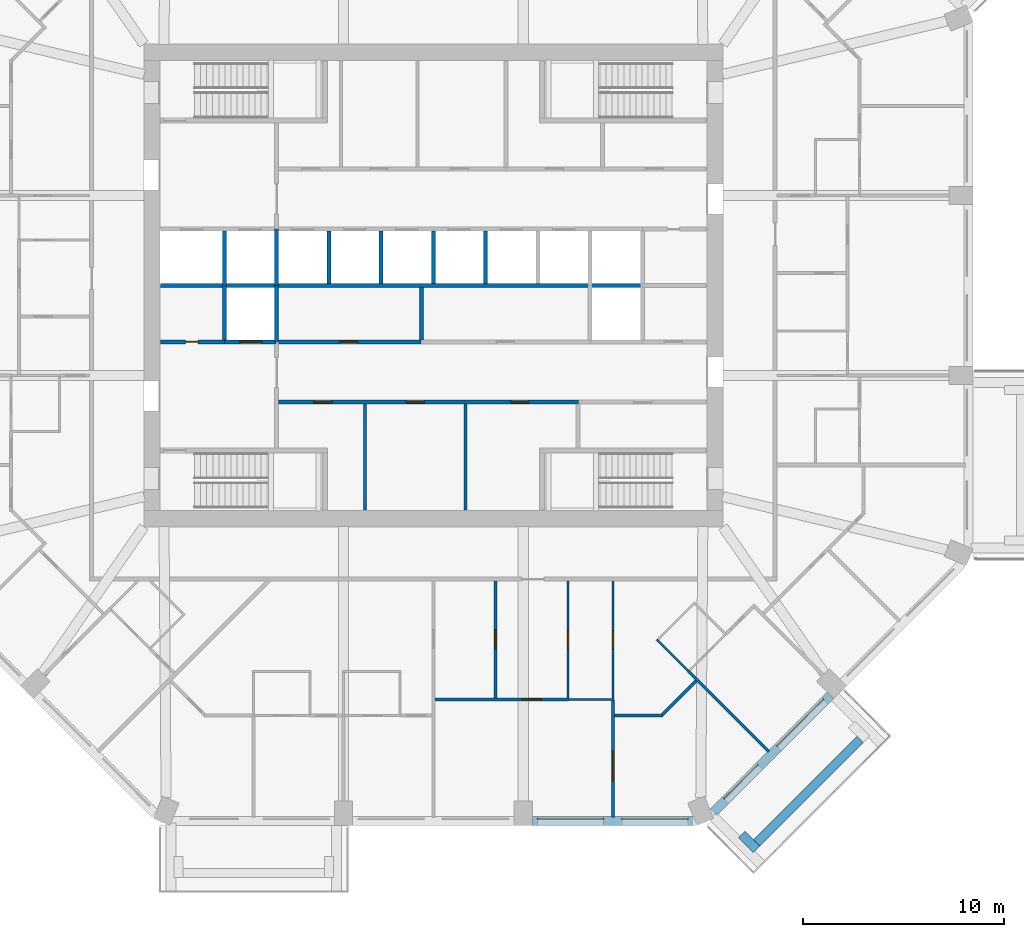
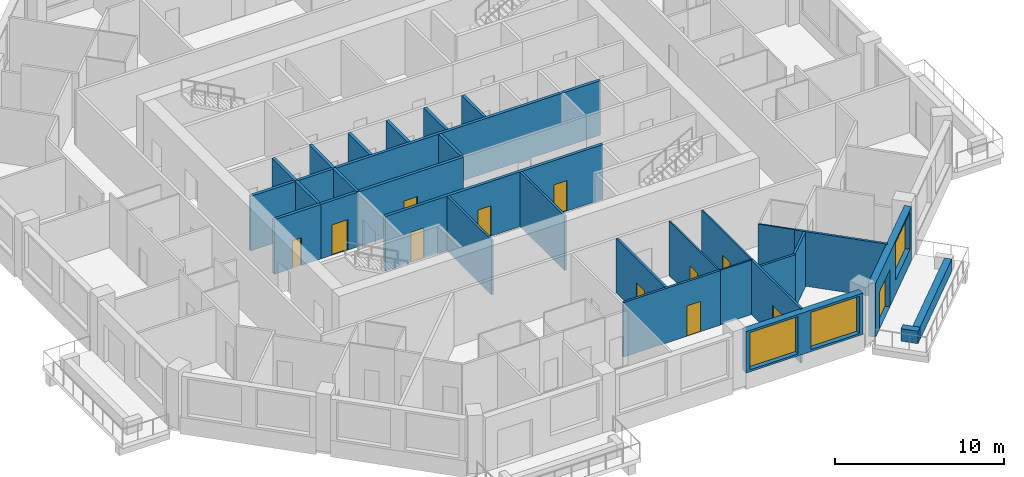
# One storey, part 5 of 12: 30 walls, 12 doors, 3 windows, 15 openings.
"""IFC4 building model written with IfcOpenShell, lengths in metres."""

from ifc_helpers import new_model, si_unit, direction, frame, frame_2d, origin, place, context, subcontext, project, spatial, rectangle, extrude, material, layer, layer_set, type_object, element, fill, save


model = new_model("IFC4")

# Units and contexts
model_context = context("Model", 3, precision=1e-05, world=origin(), true_north=direction((0.0, 1.0)))
body_context = subcontext(model_context, "Body", "Model", "MODEL_VIEW")
ifc_project = project(units=[si_unit("LENGTHUNIT", "METRE"), si_unit("AREAUNIT", "SQUARE_METRE"), si_unit("VOLUMEUNIT", "CUBIC_METRE"), si_unit("PLANEANGLEUNIT", "RADIAN"), si_unit("MASSUNIT", "GRAM", prefix="KILO")], contexts=[model_context])

# Site, building, storey
site_placement = place(None, origin())
site = spatial("IfcSite", under=ifc_project, at=site_placement, CompositionType="ELEMENT")
building_placement = place(site_placement, origin())
building = spatial("IfcBuilding", under=site, at=building_placement, Name="Msitu Wima Residences", CompositionType="ELEMENT")
storey_placement = place(building_placement, frame((0.0, 0.0, 119.10009765625)))
storey = spatial("IfcBuildingStorey", under=building, at=storey_placement, Name="L27", CompositionType="ELEMENT", Elevation=119.10009765625)

# Walls
ifc_material_1 = material(Name="Facing brick")
ifc_layer_1 = layer(ifc_material_1, 0.06494140625, Name="Facing brick")
ifc_material_2 = material(Name="Concrete C40/50", Category="concrete")
ifc_layer_2 = layer(ifc_material_2, 0.156005859375, Name="Concrete C40/50")
ifc_material_3 = material(Name="Waterproofing membrane")
ifc_layer_3 = layer(ifc_material_3, 0.00390625, Name="Waterproofing membrane")
ifc_material_4 = material(Name="Planting soil and planting")
ifc_layer_4 = layer(ifc_material_4, 0.22509765625, Name="Planting soil and planting")
ifc_layer_set_1 = layer_set([ifc_layer_1, ifc_layer_2, ifc_layer_3, ifc_layer_4], Name="Concrete C40/50")
wall_type_1 = type_object("IfcWallType", Name="Balcony planter PLANTER PL450", PredefinedType="USERDEFINED", material=ifc_layer_set_1)
wall_1_placement = place(storey_placement, frame((16.0751953125, -27.725830078125, 0.0), z_axis=(0.0, 0.0, 1.0), x_axis=(0.707106781187, 0.707106781187, 0.0)))
element("IfcWall", 1, at=wall_1_placement, inside=storey, type_object=wall_type_1, Name="Balcony planter SE0 L27", ObjectType="PLANTER", PredefinedType="USERDEFINED", context=body_context, shape_type="SweptSolid", body=[
    extrude(rectangle(XDim=7.288330078125, YDim=0.449951171875, at=frame_2d((3.64404296875, 0.0))), origin(), (0.0, 0.0, 1.0), 0.89990234375),
])
wall_2_placement = place(storey_placement, frame((15.332763671875, -27.301513671875, 0.0), z_axis=(0.0, 0.0, 1.0), x_axis=(0.707106781187, -0.707106781187, 0.0)))
element("IfcWall", 2, at=wall_2_placement, inside=storey, type_object=wall_type_1, Name="Balcony planter SE0 L27", ObjectType="PLANTER", PredefinedType="USERDEFINED", context=body_context, shape_type="SweptSolid", body=[
    extrude(rectangle(XDim=1.050048828125, YDim=0.449951171875, at=frame_2d((0.52490234375, 0.0))), origin(), (0.0, 0.0, 1.0), 0.89990234375),
])

# Wall, openings, windows
ifc_material_5 = material(Name="Brick (red buff mix)", Category="masonry")
ifc_layer_5 = layer(ifc_material_5, 0.449951171875)
ifc_layer_set_2 = layer_set([ifc_layer_5], Name="Brick (red buff mix)")
wall_type_2 = type_object("IfcWallType", Name="Brick infill wall BW450", PredefinedType="SOLIDWALL", material=ifc_layer_set_2)
wall_3_placement = place(storey_placement, frame((4.918701171875, -26.625, 0.89990234375), z_axis=(0.0, 0.0, 1.0), x_axis=(1.0, 0.0, 0.0)))
wall_3 = element("IfcWall", 3, at=wall_3_placement, inside=storey, type_object=wall_type_2, Name="Brick infill wall L27 S2", PredefinedType="SOLIDWALL", context=body_context, shape_type="SweptSolid", body=[
    extrude(rectangle(XDim=8.0, YDim=0.449951171875, at=frame_2d((4.0, 0.0))), origin(), (0.0, 0.0, 1.0), 3.0),
])
opening_1_placement = place(wall_3_placement, frame((0.25, 0.0, 0.14990234375)))
opening_1 = element("IfcOpeningElement", 4, at=opening_1_placement, cuts=wall_3, Name="Opening W27-29.020", PredefinedType="OPENING", context=body_context, shape_type="SweptSolid", body=[
    extrude(rectangle(XDim=3.300048828125, YDim=2.699951171875, at=frame_2d((1.64990234375, 1.35009765625))), frame((0.0, 0.23486328125, 0.0), z_axis=(0.0, -1.0, 0.0), x_axis=(1.0, 0.0, 0.0)), (0.0, 0.0, 1.0), 0.469970703125),
])
opening_2_placement = place(wall_3_placement, frame((4.4501953125, 0.0, 0.14990234375)))
opening_2 = element("IfcOpeningElement", 5, at=opening_2_placement, cuts=wall_3, Name="Opening W27-29.021", PredefinedType="OPENING", context=body_context, shape_type="SweptSolid", body=[
    extrude(rectangle(XDim=3.300048828125, YDim=2.699951171875, at=frame_2d((1.64990234375, 1.35009765625))), frame((0.0, 0.23486328125, 0.0), z_axis=(0.0, -1.0, 0.0), x_axis=(1.0, 0.0, 0.0)), (0.0, 0.0, 1.0), 0.469970703125),
])
ifc_material_6 = material(Name="Anodised aluminium, bronze finish, clear low-emissivity double glazing", Category="aluminium")
window_type = type_object("IfcWindowType", Name="Window W3300x2700", PartitioningType="DOUBLE_PANEL_VERTICAL", PredefinedType="WINDOW", material=ifc_material_6)
window_1_placement = place(opening_1_placement, origin())
window_1 = element("IfcWindow", 6, at=window_1_placement, inside=storey, type_object=window_type, Name="Window L27 S2.1", OverallHeight=2.699951171875, OverallWidth=3.300048828125, PartitioningType="SINGLE_PANEL", PredefinedType="WINDOW", context=body_context, shape_type="SweptSolid", body=[
    extrude(rectangle(XDim=3.300048828125, YDim=2.699951171875, at=frame_2d((1.64990234375, 1.35009765625))), frame((0.0, 0.135009765625, 0.0), z_axis=(0.0, -1.0, 0.0), x_axis=(1.0, 0.0, 0.0)), (0.0, 0.0, 1.0), 0.06005859375),
])
fill(opening_1, window_1)
window_2_placement = place(opening_2_placement, origin())
window_2 = element("IfcWindow", 7, at=window_2_placement, inside=storey, type_object=window_type, Name="Window L27 S2.2", OverallHeight=2.699951171875, OverallWidth=3.300048828125, PartitioningType="SINGLE_PANEL", PredefinedType="WINDOW", context=body_context, shape_type="SweptSolid", body=[
    extrude(rectangle(XDim=3.300048828125, YDim=2.699951171875, at=frame_2d((1.64990234375, 1.35009765625))), frame((0.0, 0.135009765625, 0.0), z_axis=(0.0, -1.0, 0.0), x_axis=(1.0, 0.0, 0.0)), (0.0, 0.0, 1.0), 0.06005859375),
])
fill(opening_2, window_2)

# Wall, openings, door, window
wall_4_placement = place(storey_placement, frame((13.909423828125, -26.214599609375, 0.0), z_axis=(0.0, 0.0, 1.0), x_axis=(0.707106781187, 0.707106781187, 0.0)))
wall_4 = element("IfcWall", 8, at=wall_4_placement, inside=storey, type_object=wall_type_2, Name="Brick infill wall L27 SE0", PredefinedType="SOLIDWALL", context=body_context, shape_type="SweptSolid", body=[
    extrude(rectangle(XDim=8.251220703125, YDim=0.449951171875, at=frame_2d((4.12548828125, 0.0))), origin(), (0.0, 0.0, 1.0), 3.89990234375),
])
opening_3_placement = place(wall_4_placement, frame((0.86279296875, 0.0, 0.0)))
opening_3 = element("IfcOpeningElement", 9, at=opening_3_placement, cuts=wall_4, Name="Opening D27-29.006", PredefinedType="OPENING", context=body_context, shape_type="SweptSolid", body=[
    extrude(rectangle(XDim=2.39990234375, YDim=2.699951171875, at=frame_2d((1.199951171875, 1.35009765625))), frame((0.0, 0.23486328125, 0.0), z_axis=(0.0, -1.0, 0.0), x_axis=(1.0, 0.0, 0.0)), (0.0, 0.0, 1.0), 0.469970703125),
])
opening_4_placement = place(wall_4_placement, frame((4.57568359375, 0.0, 1.050048828125)))
opening_4 = element("IfcOpeningElement", 10, at=opening_4_placement, cuts=wall_4, Name="Opening W27-29.022", PredefinedType="OPENING", context=body_context, shape_type="SweptSolid", body=[
    extrude(rectangle(XDim=3.300048828125, YDim=2.699951171875, at=frame_2d((1.64990234375, 1.35009765625))), frame((0.0, 0.23486328125, 0.0), z_axis=(0.0, -1.0, 0.0), x_axis=(1.0, 0.0, 0.0)), (0.0, 0.0, 1.0), 0.469970703125),
])
door_type_1 = type_object("IfcDoorType", Name="Balcony door D2400x2700", OperationType="SLIDING_TO_LEFT", PredefinedType="DOOR", material=ifc_material_6)
door_1_placement = place(opening_3_placement, origin())
door_1 = element("IfcDoor", 11, at=door_1_placement, inside=storey, type_object=door_type_1, Name="Balcony door L27 SE0", OperationType="SINGLE_SWING_LEFT", OverallHeight=2.699951171875, OverallWidth=2.39990234375, PredefinedType="DOOR", context=body_context, shape_type="SweptSolid", body=[
    extrude(rectangle(XDim=2.39990234375, YDim=2.699951171875, at=frame_2d((1.199951171875, 1.35009765625))), frame((0.0, 0.1298828125, 0.0), z_axis=(0.0, -1.0, 0.0), x_axis=(1.0, 0.0, 0.0)), (0.0, 0.0, 1.0), 0.050048828125),
])
fill(opening_3, door_1)
window_3_placement = place(opening_4_placement, origin())
window_3 = element("IfcWindow", 12, at=window_3_placement, inside=storey, type_object=window_type, Name="Window L27 SE0.2", OverallHeight=2.699951171875, OverallWidth=3.300048828125, PartitioningType="SINGLE_PANEL", PredefinedType="WINDOW", context=body_context, shape_type="SweptSolid", body=[
    extrude(rectangle(XDim=3.300048828125, YDim=2.699951171875, at=frame_2d((1.64990234375, 1.35009765625))), frame((0.0, 0.135009765625, 0.0), z_axis=(0.0, -1.0, 0.0), x_axis=(1.0, 0.0, 0.0)), (0.0, 0.0, 1.0), 0.06005859375),
])
fill(opening_4, window_3)

# Wall, opening, door
ifc_material_7 = material(Name="Plaster")
ifc_layer_6 = layer(ifc_material_7, 0.011962890625, Name="Plaster")
ifc_material_8 = material(Name="Concrete blockwork", Category="masonry")
ifc_layer_7 = layer(ifc_material_8, 0.176025390625, Name="Concrete blockwork")
ifc_layer_8 = layer(ifc_material_7, 0.011962890625, Name="Plaster")
ifc_layer_set_3 = layer_set([ifc_layer_6, ifc_layer_7, ifc_layer_8], Name="Concrete blockwork")
wall_type_3 = type_object("IfcWallType", Name="Corridor wall FW200", PredefinedType="PARTITIONING", material=ifc_layer_set_3)
wall_5_placement = place(storey_placement, frame((-7.820068359375, -2.800048828125, 0.0), z_axis=(0.0, 0.0, 1.0), x_axis=(1.0, 0.0, 0.0)))
wall_5 = element("IfcWall", 13, at=wall_5_placement, inside=storey, type_object=wall_type_3, Name="Corridor wall", PredefinedType="PARTITIONING", context=body_context, shape_type="SweptSolid", body=[
    extrude(rectangle(XDim=7.199951171875, YDim=0.199951171875, at=frame_2d((3.60009765625, 0.0))), origin(), (0.0, 0.0, 1.0), 3.949951171875),
])
opening_5_placement = place(wall_5_placement, frame((3.14990234375, 0.0, 0.0)))
opening_5 = element("IfcOpeningElement", 14, at=opening_5_placement, cuts=wall_5, Name="Opening D27-29.029", PredefinedType="OPENING", context=body_context, shape_type="SweptSolid", body=[
    extrude(rectangle(XDim=0.89990234375, YDim=2.199951171875, at=frame_2d((0.449951171875, 1.10009765625))), frame((0.0, 0.10986328125, 0.0), z_axis=(0.0, -1.0, 0.0), x_axis=(1.0, 0.0, 0.0)), (0.0, 0.0, 1.0), 0.219970703125),
])
ifc_material_9 = material(Name="Timber flush door", Category="wood")
door_type_2 = type_object("IfcDoorType", Name="Service door D05 900x2200", OperationType="SINGLE_SWING_LEFT", PredefinedType="DOOR", material=ifc_material_9)
door_2_placement = place(opening_5_placement, origin())
door_2 = element("IfcDoor", 15, at=door_2_placement, inside=storey, type_object=door_type_2, Name="Service door", OperationType="SINGLE_SWING_LEFT", OverallHeight=2.199951171875, OverallWidth=0.89990234375, PredefinedType="DOOR", context=body_context, shape_type="SweptSolid", body=[
    extrude(rectangle(XDim=0.89990234375, YDim=2.199951171875, at=frame_2d((0.449951171875, 1.10009765625))), frame((0.0, 0.02490234375, 0.0), z_axis=(0.0, -1.0, 0.0), x_axis=(1.0, 0.0, 0.0)), (0.0, 0.0, 1.0), 0.050048828125),
])
fill(opening_5, door_2)

# Wall, openings, doors
wall_6_placement = place(storey_placement, frame((-7.699951171875, -5.800048828125, 0.0), z_axis=(0.0, 0.0, 1.0), x_axis=(1.0, 0.0, 0.0)))
wall_6 = element("IfcWall", 16, at=wall_6_placement, inside=storey, type_object=wall_type_3, Name="Corridor wall", PredefinedType="PARTITIONING", context=body_context, shape_type="SweptSolid", body=[
    extrude(rectangle(XDim=14.919921875, YDim=0.199951171875, at=frame_2d((7.4599609375, 0.0))), origin(), (0.0, 0.0, 1.0), 3.949951171875),
])
opening_6_placement = place(wall_6_placement, frame((1.75, 0.0, 0.0)))
opening_6 = element("IfcOpeningElement", 17, at=opening_6_placement, cuts=wall_6, Name="Opening D27-29.021", PredefinedType="OPENING", context=body_context, shape_type="SweptSolid", body=[
    extrude(rectangle(XDim=0.89990234375, YDim=2.199951171875, at=frame_2d((0.449951171875, 1.10009765625))), frame((0.0, 0.10986328125, 0.0), z_axis=(0.0, -1.0, 0.0), x_axis=(1.0, 0.0, 0.0)), (0.0, 0.0, 1.0), 0.219970703125),
])
opening_7_placement = place(wall_6_placement, frame((6.35009765625, 0.0, 0.0)))
opening_7 = element("IfcOpeningElement", 18, at=opening_7_placement, cuts=wall_6, Name="Opening D27-29.022", PredefinedType="OPENING", context=body_context, shape_type="SweptSolid", body=[
    extrude(rectangle(XDim=0.89990234375, YDim=2.199951171875, at=frame_2d((0.449951171875, 1.10009765625))), frame((0.0, 0.10986328125, 0.0), z_axis=(0.0, -1.0, 0.0), x_axis=(1.0, 0.0, 0.0)), (0.0, 0.0, 1.0), 0.219970703125),
])
opening_8_placement = place(wall_6_placement, frame((11.550048828125, 0.0, 0.0)))
opening_8 = element("IfcOpeningElement", 19, at=opening_8_placement, cuts=wall_6, Name="Opening D27-29.023", PredefinedType="OPENING", context=body_context, shape_type="SweptSolid", body=[
    extrude(rectangle(XDim=0.89990234375, YDim=2.199951171875, at=frame_2d((0.449951171875, 1.10009765625))), frame((0.0, 0.10986328125, 0.0), z_axis=(0.0, -1.0, 0.0), x_axis=(1.0, 0.0, 0.0)), (0.0, 0.0, 1.0), 0.219970703125),
])
door_3_placement = place(opening_6_placement, origin())
door_3 = element("IfcDoor", 20, at=door_3_placement, inside=storey, type_object=door_type_2, Name="Service door", OperationType="SINGLE_SWING_LEFT", OverallHeight=2.199951171875, OverallWidth=0.89990234375, PredefinedType="DOOR", context=body_context, shape_type="SweptSolid", body=[
    extrude(rectangle(XDim=0.89990234375, YDim=2.199951171875, at=frame_2d((0.449951171875, 1.10009765625))), frame((0.0, 0.02490234375, 0.0), z_axis=(0.0, -1.0, 0.0), x_axis=(1.0, 0.0, 0.0)), (0.0, 0.0, 1.0), 0.050048828125),
])
fill(opening_6, door_3)
door_4_placement = place(opening_7_placement, origin())
door_4 = element("IfcDoor", 21, at=door_4_placement, inside=storey, type_object=door_type_2, Name="Service door", OperationType="SINGLE_SWING_RIGHT", OverallHeight=2.199951171875, OverallWidth=0.89990234375, PredefinedType="DOOR", context=body_context, shape_type="SweptSolid", body=[
    extrude(rectangle(XDim=0.89990234375, YDim=2.199951171875, at=frame_2d((0.449951171875, 1.10009765625))), frame((0.0, 0.02490234375, 0.0), z_axis=(0.0, -1.0, 0.0), x_axis=(1.0, 0.0, 0.0)), (0.0, 0.0, 1.0), 0.050048828125),
])
fill(opening_7, door_4)
door_5_placement = place(opening_8_placement, origin())
door_5 = element("IfcDoor", 22, at=door_5_placement, inside=storey, type_object=door_type_2, Name="Service door", OperationType="SINGLE_SWING_RIGHT", OverallHeight=2.199951171875, OverallWidth=0.89990234375, PredefinedType="DOOR", context=body_context, shape_type="SweptSolid", body=[
    extrude(rectangle(XDim=0.89990234375, YDim=2.199951171875, at=frame_2d((0.449951171875, 1.10009765625))), frame((0.0, 0.02490234375, 0.0), z_axis=(0.0, -1.0, 0.0), x_axis=(1.0, 0.0, 0.0)), (0.0, 0.0, 1.0), 0.050048828125),
])
fill(opening_8, door_5)

# Wall
ifc_layer_9 = layer(ifc_material_7, 0.011962890625, Name="Plaster")
ifc_layer_10 = layer(ifc_material_8, 0.1259765625, Name="Concrete blockwork")
ifc_layer_11 = layer(ifc_material_7, 0.011962890625, Name="Plaster")
ifc_layer_set_4 = layer_set([ifc_layer_9, ifc_layer_10, ifc_layer_11], Name="Concrete blockwork")
wall_type_4 = type_object("IfcWallType", Name="Partition PW150", PredefinedType="PARTITIONING", material=ifc_layer_set_4)
wall_7_placement = place(storey_placement, frame((-3.39990234375, -11.169921875, 0.0), z_axis=(0.0, 0.0, 1.0), x_axis=(0.0, 1.0, 0.0)))
element("IfcWall", 23, at=wall_7_placement, inside=storey, type_object=wall_type_4, Name="Partition", PredefinedType="PARTITIONING", context=body_context, shape_type="SweptSolid", body=[
    extrude(rectangle(XDim=5.27001953125, YDim=0.14990234375, at=frame_2d((2.635009765625, 0.0))), origin(), (0.0, 0.0, 1.0), 3.949951171875),
])

# Wall, opening, door
wall_8_placement = place(storey_placement, frame((0.074951171875, -20.60009765625, 0.0), z_axis=(0.0, 0.0, 1.0), x_axis=(1.0, 0.0, 0.0)))
wall_8 = element("IfcWall", 24, at=wall_8_placement, inside=storey, type_object=wall_type_4, Name="Partition", PredefinedType="PARTITIONING", context=body_context, shape_type="SweptSolid", body=[
    extrude(rectangle(XDim=6.64501953125, YDim=0.14990234375, at=frame_2d((3.322509765625, 0.0))), origin(), (0.0, 0.0, 1.0), 3.949951171875),
])
opening_9_placement = place(wall_8_placement, frame((4.35009765625, 0.0, 0.0)))
opening_9 = element("IfcOpeningElement", 25, at=opening_9_placement, cuts=wall_8, Name="Opening D27-29.069", PredefinedType="OPENING", context=body_context, shape_type="SweptSolid", body=[
    extrude(rectangle(XDim=0.949951171875, YDim=2.199951171875, at=frame_2d((0.47509765625, 1.10009765625))), frame((0.0, 0.0849609375, 0.0), z_axis=(0.0, -1.0, 0.0), x_axis=(1.0, 0.0, 0.0)), (0.0, 0.0, 1.0), 0.169921875),
])
door_type_3 = type_object("IfcDoorType", Name="Room door D12 950x2200", OperationType="SINGLE_SWING_LEFT", PredefinedType="DOOR", material=ifc_material_9)
door_6_placement = place(opening_9_placement, origin())
door_6 = element("IfcDoor", 26, at=door_6_placement, inside=storey, type_object=door_type_3, Name="Room door", OperationType="SINGLE_SWING_LEFT", OverallHeight=2.199951171875, OverallWidth=0.949951171875, PredefinedType="DOOR", context=body_context, shape_type="SweptSolid", body=[
    extrude(rectangle(XDim=0.949951171875, YDim=2.199951171875, at=frame_2d((0.47509765625, 1.10009765625))), frame((0.0, 0.02490234375, 0.0), z_axis=(0.0, -1.0, 0.0), x_axis=(1.0, 0.0, 0.0)), (0.0, 0.0, 1.0), 0.050048828125),
])
fill(opening_9, door_6)

# Wall
wall_9_placement = place(storey_placement, frame((1.60009765625, -11.169921875, 0.0), z_axis=(0.0, 0.0, 1.0), x_axis=(0.0, 1.0, 0.0)))
element("IfcWall", 27, at=wall_9_placement, inside=storey, type_object=wall_type_4, Name="Partition", PredefinedType="PARTITIONING", context=body_context, shape_type="SweptSolid", body=[
    extrude(rectangle(XDim=5.27001953125, YDim=0.14990234375, at=frame_2d((2.635009765625, 0.0))), origin(), (0.0, 0.0, 1.0), 3.949951171875),
])

# Wall, opening, door
wall_10_placement = place(storey_placement, frame((3.10009765625, -20.52490234375, 0.0), z_axis=(0.0, 0.0, 1.0), x_axis=(0.0, 1.0, 0.0)))
wall_10 = element("IfcWall", 28, at=wall_10_placement, inside=storey, type_object=wall_type_4, Name="Partition", PredefinedType="PARTITIONING", context=body_context, shape_type="SweptSolid", body=[
    extrude(rectangle(XDim=5.824951171875, YDim=0.14990234375, at=frame_2d((2.91259765625, 0.0))), origin(), (0.0, 0.0, 1.0), 3.949951171875),
])
opening_10_placement = place(wall_10_placement, frame((2.449951171875, 0.0, 0.0)))
opening_10 = element("IfcOpeningElement", 29, at=opening_10_placement, cuts=wall_10, Name="Opening D27-29.072", PredefinedType="OPENING", context=body_context, shape_type="SweptSolid", body=[
    extrude(rectangle(XDim=0.949951171875, YDim=2.199951171875, at=frame_2d((0.47509765625, 1.10009765625))), frame((0.0, 0.0849609375, 0.0), z_axis=(0.0, -1.0, 0.0), x_axis=(1.0, 0.0, 0.0)), (0.0, 0.0, 1.0), 0.169921875),
])
door_7_placement = place(opening_10_placement, origin())
door_7 = element("IfcDoor", 30, at=door_7_placement, inside=storey, type_object=door_type_3, Name="Room door", OperationType="SINGLE_SWING_RIGHT", OverallHeight=2.199951171875, OverallWidth=0.949951171875, PredefinedType="DOOR", context=body_context, shape_type="SweptSolid", body=[
    extrude(rectangle(XDim=0.949951171875, YDim=2.199951171875, at=frame_2d((0.47509765625, 1.10009765625))), frame((0.0, 0.02490234375, 0.0), z_axis=(0.0, -1.0, 0.0), x_axis=(1.0, 0.0, 0.0)), (0.0, 0.0, 1.0), 0.050048828125),
])
fill(opening_10, door_7)

wall_11_placement = place(storey_placement, frame((8.937255859375, -26.455078125, 0.0), z_axis=(0.0, 0.0, 1.0), x_axis=(0.0, 1.0, 0.0)))
wall_11 = element("IfcWall", 31, at=wall_11_placement, inside=storey, type_object=wall_type_4, Name="Partition", PredefinedType="PARTITIONING", context=body_context, shape_type="SweptSolid", body=[
    extrude(rectangle(XDim=5.8349609375, YDim=0.14990234375, at=frame_2d((2.91748046875, 0.0))), origin(), (0.0, 0.0, 1.0), 3.949951171875),
])
opening_11_placement = place(wall_11_placement, frame((1.800048828125, 0.0, 0.0)))
opening_11 = element("IfcOpeningElement", 32, at=opening_11_placement, cuts=wall_11, Name="Opening D27-29.071", PredefinedType="OPENING", context=body_context, shape_type="SweptSolid", body=[
    extrude(rectangle(XDim=1.5, YDim=2.199951171875, at=frame_2d((0.75, 1.10009765625))), frame((0.0, 0.0849609375, 0.0), z_axis=(0.0, -1.0, 0.0), x_axis=(1.0, 0.0, 0.0)), (0.0, 0.0, 1.0), 0.169921875),
])
ifc_material_10 = material(Name="Timber double door", Category="wood")
door_type_4 = type_object("IfcDoorType", Name="Double door D04 1500x2200", OperationType="DOUBLE_DOOR_SINGLE_SWING", PredefinedType="DOOR", material=ifc_material_10)
door_8_placement = place(opening_11_placement, origin())
door_8 = element("IfcDoor", 33, at=door_8_placement, inside=storey, type_object=door_type_4, Name="Double door", OperationType="DOUBLE_DOOR_SINGLE_SWING", OverallHeight=2.199951171875, OverallWidth=1.5, PredefinedType="DOOR", context=body_context, shape_type="SweptSolid", body=[
    extrude(rectangle(XDim=1.5, YDim=2.199951171875, at=frame_2d((0.75, 1.10009765625))), frame((0.0, 0.02490234375, 0.0), z_axis=(0.0, -1.0, 0.0), x_axis=(1.0, 0.0, 0.0)), (0.0, 0.0, 1.0), 0.050048828125),
])
fill(opening_11, door_8)

# Walls
wall_12_placement = place(storey_placement, frame((9.01220703125, -21.39990234375, 0.0), z_axis=(0.0, 0.0, 1.0), x_axis=(1.0, 0.0, 0.0)))
element("IfcWall", 34, at=wall_12_placement, inside=storey, type_object=wall_type_4, Name="Partition", PredefinedType="PARTITIONING", context=body_context, shape_type="SweptSolid", body=[
    extrude(rectangle(XDim=2.397705078125, YDim=0.14990234375, at=frame_2d((1.19873046875, 0.0))), origin(), (0.0, 0.0, 1.0), 3.949951171875),
])
wall_13_placement = place(storey_placement, frame((11.387939453125, -21.346923828125, 0.0), z_axis=(0.0, 0.0, 1.0), x_axis=(0.707106781187, 0.707106781187, 0.0)))
element("IfcWall", 35, at=wall_13_placement, inside=storey, type_object=wall_type_4, Name="Partition", PredefinedType="PARTITIONING", context=body_context, shape_type="SweptSolid", body=[
    extrude(rectangle(XDim=2.373046875, YDim=0.14990234375, at=frame_2d((1.1865234375, 0.0))), origin(), (0.0, 0.0, 1.0), 3.949951171875),
])
wall_14_placement = place(storey_placement, frame((12.680419921875, -19.177490234375, 0.0), z_axis=(0.0, 0.0, 1.0), x_axis=(0.707106781187, -0.707106781187, 0.0)))
element("IfcWall", 36, at=wall_14_placement, inside=storey, type_object=wall_type_4, Name="Partition", PredefinedType="PARTITIONING", context=body_context, shape_type="SweptSolid", body=[
    extrude(rectangle(XDim=5.675048828125, YDim=0.14990234375, at=frame_2d((2.83740234375, 0.0))), origin(), (0.0, 0.0, 1.0), 3.949951171875),
])

# Wall, opening, door
ifc_layer_12 = layer(ifc_material_7, 0.011962890625, Name="Plaster")
ifc_material_11 = material(Name="Reinforced concrete blockwork", Category="masonry")
ifc_layer_13 = layer(ifc_material_11, 0.176025390625, Name="Reinforced concrete blockwork")
ifc_layer_14 = layer(ifc_material_7, 0.011962890625, Name="Plaster")
ifc_layer_set_5 = layer_set([ifc_layer_12, ifc_layer_13, ifc_layer_14], Name="Reinforced concrete blockwork")
wall_type_5 = type_object("IfcWallType", Name="Plant and riser wall PL200", PredefinedType="PARTITIONING", material=ifc_layer_set_5)
wall_15_placement = place(storey_placement, frame((-13.570068359375, -2.800048828125, 0.0), z_axis=(0.0, 0.0, 1.0), x_axis=(1.0, 0.0, 0.0)))
wall_15 = element("IfcWall", 37, at=wall_15_placement, inside=storey, type_object=wall_type_5, Name="Plant and riser wall", PredefinedType="PARTITIONING", context=body_context, shape_type="SweptSolid", body=[
    extrude(rectangle(XDim=3.190185546875, YDim=0.199951171875, at=frame_2d((1.59521484375, 0.0))), origin(), (0.0, 0.0, 1.0), 3.949951171875),
])
opening_12_placement = place(wall_15_placement, frame((1.25, 0.0, 0.0)))
opening_12 = element("IfcOpeningElement", 38, at=opening_12_placement, cuts=wall_15, Name="Opening D27-29.028", PredefinedType="OPENING", context=body_context, shape_type="SweptSolid", body=[
    extrude(rectangle(XDim=0.60009765625, YDim=2.0, at=frame_2d((0.300048828125, 1.0))), frame((0.0, 0.10986328125, 0.0), z_axis=(0.0, -1.0, 0.0), x_axis=(1.0, 0.0, 0.0)), (0.0, 0.0, 1.0), 0.219970703125),
])
ifc_material_12 = material(Name="Steel access door, fire resisting", Category="steel")
door_type_5 = type_object("IfcDoorType", Name="Riser access door D08 600x2000", OperationType="SINGLE_SWING_LEFT", PredefinedType="DOOR", material=ifc_material_12)
door_9_placement = place(opening_12_placement, origin())
door_9 = element("IfcDoor", 39, at=door_9_placement, inside=storey, type_object=door_type_5, Name="Riser access door", OperationType="SINGLE_SWING_RIGHT", OverallHeight=2.0, OverallWidth=0.60009765625, PredefinedType="DOOR", context=body_context, shape_type="SweptSolid", body=[
    extrude(rectangle(XDim=0.60009765625, YDim=2.0, at=frame_2d((0.300048828125, 1.0))), frame((0.0, 0.02490234375, 0.0), z_axis=(0.0, -1.0, 0.0), x_axis=(1.0, 0.0, 0.0)), (0.0, 0.0, 1.0), 0.050048828125),
])
fill(opening_12, door_9)

# Walls
wall_16_placement = place(storey_placement, frame((-0.60009765625, -2.699951171875, 0.0), z_axis=(0.0, 0.0, 1.0), x_axis=(0.0, 1.0, 0.0)))
element("IfcWall", 40, at=wall_16_placement, inside=storey, type_object=wall_type_5, Name="Plant and riser wall", PredefinedType="PARTITIONING", context=body_context, shape_type="SweptSolid", body=[
    extrude(rectangle(XDim=2.599853515625, YDim=0.199951171875, at=frame_2d((1.2998046875, 0.0))), origin(), (0.0, 0.0, 1.0), 3.949951171875),
])
ifc_material_13 = material(Name="Fire-rated board")
ifc_layer_15 = layer(ifc_material_13, 0.02490234375, Name="Fire-rated board")
ifc_material_14 = material(Name="Light-gauge stud framing with mineral wool")
ifc_layer_16 = layer(ifc_material_14, 0.14990234375, Name="Light-gauge stud framing with mineral wool")
ifc_layer_17 = layer(ifc_material_13, 0.02490234375, Name="Fire-rated board")
ifc_layer_set_6 = layer_set([ifc_layer_15, ifc_layer_16, ifc_layer_17], Name="Light-gauge stud framing with mineral wool")
wall_type_6 = type_object("IfcWallType", Name="Shaft wall SH200", PredefinedType="PARTITIONING", material=ifc_layer_set_6)
wall_17_placement = place(storey_placement, frame((-13.570068359375, 0.0, 0.0), z_axis=(0.0, 0.0, 1.0), x_axis=(1.0, 0.0, 0.0)))
element("IfcWall", 41, at=wall_17_placement, inside=storey, type_object=wall_type_6, Name="Shaft wall", PredefinedType="PARTITIONING", context=body_context, shape_type="SweptSolid", body=[
    extrude(rectangle(XDim=23.969970703125, YDim=0.199951171875, at=frame_2d((11.98486328125, 0.0))), origin(), (0.0, 0.0, 1.0), 3.949951171875),
])
wall_18_placement = place(storey_placement, frame((-10.39990234375, -2.699951171875, 0.0), z_axis=(0.0, 0.0, 1.0), x_axis=(0.0, 1.0, 0.0)))
element("IfcWall", 42, at=wall_18_placement, inside=storey, type_object=wall_type_6, Name="Shaft wall", PredefinedType="PARTITIONING", context=body_context, shape_type="SweptSolid", body=[
    extrude(rectangle(XDim=2.699951171875, YDim=0.199951171875, at=frame_2d((1.35009765625, 0.0))), origin(), (0.0, 0.0, 1.0), 3.949951171875),
])

# Wall, opening, door
wall_19_placement = place(storey_placement, frame((-10.3798828125, -2.800048828125, 0.0), z_axis=(0.0, 0.0, 1.0), x_axis=(1.0, 0.0, 0.0)))
wall_19 = element("IfcWall", 43, at=wall_19_placement, inside=storey, type_object=wall_type_6, Name="Shaft wall", PredefinedType="PARTITIONING", context=body_context, shape_type="SweptSolid", body=[
    extrude(rectangle(XDim=2.559814453125, YDim=0.199951171875, at=frame_2d((1.27978515625, 0.0))), origin(), (0.0, 0.0, 1.0), 3.949951171875),
])
opening_13_placement = place(wall_19_placement, frame((0.75, 0.0, 0.0)))
opening_13 = element("IfcOpeningElement", 44, at=opening_13_placement, cuts=wall_19, Name="Opening LD", PredefinedType="OPENING", context=body_context, shape_type="SweptSolid", body=[
    extrude(rectangle(XDim=1.10009765625, YDim=2.199951171875, at=frame_2d((0.550048828125, 1.10009765625))), frame((0.0, 0.10986328125, 0.0), z_axis=(0.0, -1.0, 0.0), x_axis=(1.0, 0.0, 0.0)), (0.0, 0.0, 1.0), 0.219970703125),
])
ifc_material_15 = material(Name="Stainless steel centre-opening landing door, rated", Category="steel")
door_type_6 = type_object("IfcDoorType", Name="Lift landing door LD 1100x2200", OperationType="DOUBLE_DOOR_SLIDING", PredefinedType="DOOR", material=ifc_material_15)
door_10_placement = place(opening_13_placement, origin())
door_10 = element("IfcDoor", 45, at=door_10_placement, inside=storey, type_object=door_type_6, Name="Lift landing door LD3", OperationType="DOUBLE_DOOR_SLIDING", OverallHeight=2.199951171875, OverallWidth=1.10009765625, PredefinedType="DOOR", context=body_context, shape_type="SweptSolid", body=[
    extrude(rectangle(XDim=1.10009765625, YDim=2.199951171875, at=frame_2d((0.550048828125, 1.10009765625))), frame((0.0, 0.02490234375, 0.0), z_axis=(0.0, -1.0, 0.0), x_axis=(1.0, 0.0, 0.0)), (0.0, 0.0, 1.0), 0.050048828125),
])
fill(opening_13, door_10)

# Walls
wall_20_placement = place(storey_placement, frame((-10.39990234375, 0.0, 0.0), z_axis=(0.0, 0.0, 1.0), x_axis=(0.0, 1.0, 0.0)))
element("IfcWall", 46, at=wall_20_placement, inside=storey, type_object=wall_type_6, Name="Shaft wall", PredefinedType="PARTITIONING", context=body_context, shape_type="SweptSolid", body=[
    extrude(rectangle(XDim=2.699951171875, YDim=0.199951171875, at=frame_2d((1.35009765625, 0.0))), origin(), (0.0, 0.0, 1.0), 3.949951171875),
])
for number, where, z_axis, x_axis, name in (
    (47, (-7.800048828125, -2.800048828125, 0.0), (0.0, 0.0, 1.0), (0.0, 1.0, 0.0), "Shaft wall"),
    (48, (-7.800048828125, 0.0, 0.0), (0.0, 0.0, 1.0), (0.0, 1.0, 0.0), "Shaft wall"),
):
    element("IfcWall", number, at=place(storey_placement, frame(where, z_axis=z_axis, x_axis=x_axis)), inside=storey, type_object=wall_type_6, Name=name, PredefinedType="PARTITIONING", context=body_context, shape_type="SweptSolid", body=[
        extrude(rectangle(XDim=2.800048828125, YDim=0.199951171875, at=frame_2d((1.39990234375, 0.0))), origin(), (0.0, 0.0, 1.0), 3.949951171875),
    ])
for number, where, z_axis, x_axis, name in (
    (49, (-5.199951171875, 0.10009765625, 0.0), (0.0, 0.0, 1.0), (0.0, 1.0, 0.0), "Shaft wall"),
    (50, (-2.60009765625, 0.10009765625, 0.0), (0.0, 0.0, 1.0), (0.0, 1.0, 0.0), "Shaft wall"),
    (51, (0.0, 0.10009765625, 0.0), (0.0, 0.0, 1.0), (0.0, 1.0, 0.0), "Shaft wall"),
    (52, (2.60009765625, 0.10009765625, 0.0), (0.0, 0.0, 1.0), (0.0, 1.0, 0.0), "Shaft wall"),
):
    element("IfcWall", number, at=place(storey_placement, frame(where, z_axis=z_axis, x_axis=x_axis)), inside=storey, type_object=wall_type_6, Name=name, PredefinedType="PARTITIONING", context=body_context, shape_type="SweptSolid", body=[
        extrude(rectangle(XDim=2.599853515625, YDim=0.199951171875, at=frame_2d((1.2998046875, 0.0))), origin(), (0.0, 0.0, 1.0), 3.949951171875),
    ])
ifc_material_16 = material(Name="Ceramic tiles")
ifc_layer_18 = layer(ifc_material_16, 0.008056640625, Name="Ceramic tiles")
ifc_material_17 = material(Name="Moisture-resistant board")
ifc_layer_19 = layer(ifc_material_17, 0.012451171875, Name="Moisture-resistant board")
ifc_layer_20 = layer(ifc_material_14, 0.06689453125, Name="Light-gauge stud framing with mineral wool")
ifc_layer_21 = layer(ifc_material_17, 0.012451171875, Name="Moisture-resistant board")
ifc_layer_set_7 = layer_set([ifc_layer_18, ifc_layer_19, ifc_layer_20, ifc_layer_21], Name="Light-gauge stud framing with mineral wool")
wall_type_7 = type_object("IfcWallType", Name="Wet wall PW100", PredefinedType="PARTITIONING", material=ifc_layer_set_7)
wall_21_placement = place(storey_placement, frame((6.719970703125, -20.60009765625, 0.0), z_axis=(0.0, 0.0, 1.0), x_axis=(1.0, 0.0, 0.0)))
element("IfcWall", 53, at=wall_21_placement, inside=storey, type_object=wall_type_7, Name="Wet wall", PredefinedType="PARTITIONING", context=body_context, shape_type="SweptSolid", body=[
    extrude(rectangle(XDim=2.142333984375, YDim=0.10009765625, at=frame_2d((1.0712890625, 0.0))), origin(), (0.0, 0.0, 1.0), 3.949951171875),
])

# Wall, opening, door
wall_22_placement = place(storey_placement, frame((6.699951171875, -20.52490234375, 0.0), z_axis=(0.0, 0.0, 1.0), x_axis=(0.0, 1.0, 0.0)))
wall_22 = element("IfcWall", 54, at=wall_22_placement, inside=storey, type_object=wall_type_7, Name="Wet wall", PredefinedType="PARTITIONING", context=body_context, shape_type="SweptSolid", body=[
    extrude(rectangle(XDim=5.824951171875, YDim=0.10009765625, at=frame_2d((2.91259765625, 0.0))), origin(), (0.0, 0.0, 1.0), 3.949951171875),
])
opening_14_placement = place(wall_22_placement, frame((2.449951171875, 0.0, 0.0)))
opening_14 = element("IfcOpeningElement", 55, at=opening_14_placement, cuts=wall_22, Name="Opening D27-29.068", PredefinedType="OPENING", context=body_context, shape_type="SweptSolid", body=[
    extrude(rectangle(XDim=0.89990234375, YDim=2.199951171875, at=frame_2d((0.449951171875, 1.10009765625))), frame((0.0, 0.06005859375, 0.0), z_axis=(0.0, -1.0, 0.0), x_axis=(1.0, 0.0, 0.0)), (0.0, 0.0, 1.0), 0.1201171875),
])
ifc_material_18 = material(Name="Timber flush door, moisture resistant", Category="wood")
door_type_7 = type_object("IfcDoorType", Name="Bathroom door D03 900x2200", OperationType="SINGLE_SWING_LEFT", PredefinedType="DOOR", material=ifc_material_18)
door_11_placement = place(opening_14_placement, origin())
door_11 = element("IfcDoor", 56, at=door_11_placement, inside=storey, type_object=door_type_7, Name="Bathroom door", OperationType="SINGLE_SWING_RIGHT", OverallHeight=2.199951171875, OverallWidth=0.89990234375, PredefinedType="DOOR", context=body_context, shape_type="SweptSolid", body=[
    extrude(rectangle(XDim=0.89990234375, YDim=2.199951171875, at=frame_2d((0.449951171875, 1.10009765625))), frame((0.0, 0.02490234375, 0.0), z_axis=(0.0, -1.0, 0.0), x_axis=(1.0, 0.0, 0.0)), (0.0, 0.0, 1.0), 0.050048828125),
])
fill(opening_14, door_11)

wall_23_placement = place(storey_placement, frame((8.937255859375, -20.6201171875, 0.0), z_axis=(0.0, 0.0, 1.0), x_axis=(0.0, 1.0, 0.0)))
wall_23 = element("IfcWall", 57, at=wall_23_placement, inside=storey, type_object=wall_type_7, Name="Wet wall", PredefinedType="PARTITIONING", context=body_context, shape_type="SweptSolid", body=[
    extrude(rectangle(XDim=5.920166015625, YDim=0.10009765625, at=frame_2d((2.9599609375, 0.0))), origin(), (0.0, 0.0, 1.0), 3.949951171875),
])
opening_15_placement = place(wall_23_placement, frame((2.550048828125, 0.0, 0.0)))
opening_15 = element("IfcOpeningElement", 58, at=opening_15_placement, cuts=wall_23, Name="Opening D27-29.073", PredefinedType="OPENING", context=body_context, shape_type="SweptSolid", body=[
    extrude(rectangle(XDim=0.89990234375, YDim=2.199951171875, at=frame_2d((0.449951171875, 1.10009765625))), frame((0.0, 0.06005859375, 0.0), z_axis=(0.0, -1.0, 0.0), x_axis=(1.0, 0.0, 0.0)), (0.0, 0.0, 1.0), 0.1201171875),
])
door_12_placement = place(opening_15_placement, origin())
door_12 = element("IfcDoor", 59, at=door_12_placement, inside=storey, type_object=door_type_7, Name="Bathroom door", OperationType="SINGLE_SWING_RIGHT", OverallHeight=2.199951171875, OverallWidth=0.89990234375, PredefinedType="DOOR", context=body_context, shape_type="SweptSolid", body=[
    extrude(rectangle(XDim=0.89990234375, YDim=2.199951171875, at=frame_2d((0.449951171875, 1.10009765625))), frame((0.0, 0.02490234375, 0.0), z_axis=(0.0, -1.0, 0.0), x_axis=(1.0, 0.0, 0.0)), (0.0, 0.0, 1.0), 0.050048828125),
])
fill(opening_15, door_12)

# Wall
wall_24_placement = place(storey_placement, frame((11.103515625, -17.6005859375, 0.0), z_axis=(0.0, 0.0, 1.0), x_axis=(0.707106781187, -0.707106781187, 0.0)))
element("IfcWall", 60, at=wall_24_placement, inside=storey, type_object=wall_type_7, Name="Wet wall", PredefinedType="PARTITIONING", context=body_context, shape_type="SweptSolid", body=[
    extrude(rectangle(XDim=2.22998046875, YDim=0.10009765625, at=frame_2d((1.114990234375, 0.0))), origin(), (0.0, 0.0, 1.0), 3.949951171875),
])

save(model, "model.ifc")
